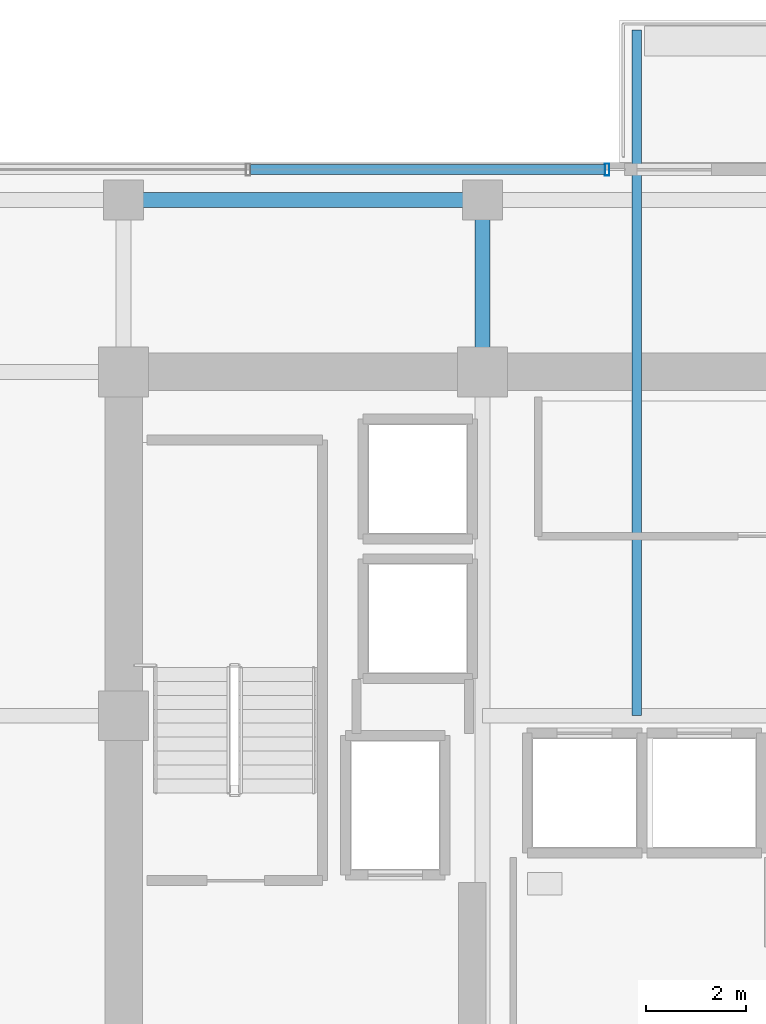
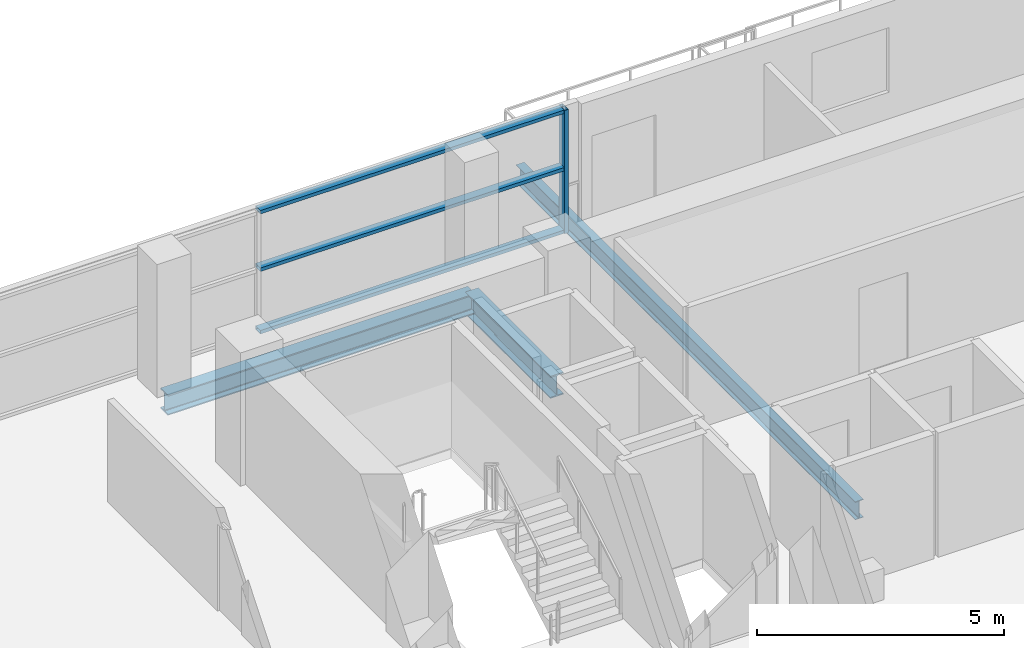
# One storey, part 16 of 28: 4 members, 3 beams, 1 element without a shape of its own.
"""IFC4 building model written with IfcOpenShell, lengths in metres."""

from ifc_helpers import new_model, si_unit, direction, frame, origin, origin_2d, place, context, subcontext, project, spatial, hollow_rectangle, i_section, extrude, source, transform, mapped, material, layer, layer_set, material_profile, profile_set, type_object, element, aggregate, save


model = new_model("IFC4")

# Units and contexts
model_context = context("Model", 3, precision=1e-05, world=origin(), true_north=direction((0.0, 1.0)))
body_context = subcontext(model_context, "Body", "Model", "MODEL_VIEW")
ifc_project = project(units=[si_unit("LENGTHUNIT", "METRE"), si_unit("AREAUNIT", "SQUARE_METRE"), si_unit("VOLUMEUNIT", "CUBIC_METRE"), si_unit("PLANEANGLEUNIT", "RADIAN"), si_unit("MASSUNIT", "GRAM", prefix="KILO")], contexts=[model_context])

# Site, building, storey
site_placement = place(None, origin())
site = spatial("IfcSite", under=ifc_project, at=site_placement, CompositionType="ELEMENT")
building_placement = place(site_placement, origin())
building = spatial("IfcBuilding", under=site, at=building_placement, Name="Zarnakvel Exchange Tower", CompositionType="ELEMENT")
storey_placement = place(building_placement, frame((0.0, 0.0, 90.10009765625)))
storey = spatial("IfcBuildingStorey", under=building, at=storey_placement, Name="L24", CompositionType="ELEMENT", Elevation=90.10009765625)

# Beams
ifc_material_1 = material(Name="Steel S355", Category="steel")
ifc_material_profile_1 = material_profile(ifc_material_1, i_section(OverallWidth=0.18994140625, OverallDepth=0.449951171875, WebThickness=0.009521484375, FlangeThickness=0.0146484375, FilletRadius=0.02099609375, at=origin_2d()))
ifc_profile_set_1 = profile_set([ifc_material_profile_1], Name="Steel S355")
beam_type_1 = type_object("IfcBeamType", Name="B-05", PredefinedType="JOIST", material=ifc_profile_set_1)
beam_1_placement = place(storey_placement, frame((-4.10009765625, 6.60009765625, -0.47509765625), z_axis=(0.0, 1.0, 0.0), x_axis=(-1.0, 0.0, 0.0)))
element("IfcBeam", 1, at=beam_1_placement, inside=storey, type_object=beam_type_1, Name="L24 Continuous North Spiral Terrace Beam W", PredefinedType="JOIST", context=body_context, shape_type="SweptSolid", body=[
    extrude(i_section(OverallWidth=0.18994140625, OverallDepth=0.449951171875, WebThickness=0.009521484375, FlangeThickness=0.0146484375, FilletRadius=0.02099609375, at=origin_2d()), origin(), (0.0, 0.0, 1.0), 13.760009765625),
])
ifc_material_profile_2 = material_profile(ifc_material_1, i_section(OverallWidth=0.300048828125, OverallDepth=0.550048828125, WebThickness=0.014892578125, FlangeThickness=0.029052734375, FilletRadius=0.027099609375, at=origin_2d()))
ifc_profile_set_2 = profile_set([ifc_material_profile_2], Name="Steel S355")
beam_type_2 = type_object("IfcBeamType", Name="G-05", PredefinedType="BEAM", material=ifc_profile_set_2)
beam_2_placement = place(storey_placement, frame((-7.199951171875, 13.5, -0.5), z_axis=(0.0, 1.0, 0.0), x_axis=(-1.0, 0.0, 0.0)))
element("IfcBeam", 2, at=beam_2_placement, inside=storey, type_object=beam_type_2, Name="L24 Tower N-S Frame Beam", PredefinedType="BEAM", context=body_context, shape_type="SweptSolid", body=[
    extrude(i_section(OverallWidth=0.300048828125, OverallDepth=0.550048828125, WebThickness=0.014892578125, FlangeThickness=0.029052734375, FilletRadius=0.027099609375, at=origin_2d()), origin(), (0.0, 0.0, 1.0), 3.449951171875),
])
ifc_material_profile_3 = material_profile(ifc_material_1, i_section(OverallWidth=0.300048828125, OverallDepth=0.5, WebThickness=0.014404296875, FlangeThickness=0.028076171875, FilletRadius=0.027099609375, at=origin_2d()))
ifc_profile_set_3 = profile_set([ifc_material_profile_3], Name="Steel S355")
beam_type_3 = type_object("IfcBeamType", Name="SP-02", PredefinedType="SPANDREL", material=ifc_profile_set_3)
beam_3_placement = place(storey_placement, frame((-14.39990234375, 16.949951171875, -0.47509765625), z_axis=(1.0, 0.0, 0.0), x_axis=(0.0, 1.0, 0.0)))
element("IfcBeam", 3, at=beam_3_placement, inside=storey, type_object=beam_type_3, Name="L24 Tower E-W Frame Beam", PredefinedType="SPANDREL", context=body_context, shape_type="SweptSolid", body=[
    extrude(i_section(OverallWidth=0.300048828125, OverallDepth=0.5, WebThickness=0.014404296875, FlangeThickness=0.028076171875, FilletRadius=0.027099609375, at=origin_2d()), origin(), (0.0, 0.0, 1.0), 7.199951171875),
])

# Curtain wall, members
ifc_material_2 = material(Name="Architectural Bronze Anodised Aluminium", Category="aluminium")
ifc_layer = layer(ifc_material_2, 0.239990234375)
ifc_layer_set = layer_set([ifc_layer], Name="Architectural Bronze Anodised Aluminium")
curtain_wall_type = type_object("IfcCurtainWallType", Name="CW-02", PredefinedType="NOTDEFINED", material=ifc_layer_set)
curtain_wall_placement = place(storey_placement, origin())
curtain_wall = element("IfcCurtainWall", 4, at=curtain_wall_placement, inside=storey, type_object=curtain_wall_type, Name="L24 Curtain Wall CW-L24-N1 (CW-02)", PredefinedType="NOTDEFINED")
ifc_material_profile_4 = material_profile(ifc_material_2, hollow_rectangle(XDim=0.239990234375, YDim=0.090087890625, WallThickness=0.006103515625, at=origin_2d()))
ifc_profile_set_4 = profile_set([ifc_material_profile_4], Name="Architectural Bronze Anodised Aluminium")
member_type_1 = type_object("IfcMemberType", Name="CWM-02", PredefinedType="MULLION", material=ifc_profile_set_4)
shared_shape_1 = source(origin(), body_context, "Body", "SweptSolid", [
    extrude(hollow_rectangle(XDim=0.239990234375, YDim=0.090087890625, WallThickness=0.006103515625, at=origin_2d()), origin(), (0.0, 0.0, 1.0), 3.054931640625),
])
member_1_placement = place(storey_placement, frame((-4.695068359375, 17.56005859375, 0.0), z_axis=(0.0, 0.0, 1.0), x_axis=(0.0, 1.0, 0.0)))
member_1 = element("IfcMember", 5, at=member_1_placement, type_object=member_type_1, Name="CW-02 mullion 4", PredefinedType="MULLION", context=body_context, shape_type="MappedRepresentation", body=[
    mapped(shared_shape_1, transform((0.0, 0.0, 0.0), x_axis=(1.0, 0.0, 0.0), y_axis=(0.0, 1.0, 0.0), z_axis=(0.0, 0.0, 1.0), scale=1.0)),
])
ifc_material_profile_5 = material_profile(ifc_material_2, hollow_rectangle(XDim=0.199951171875, YDim=0.0849609375, WallThickness=0.0048828125, at=origin_2d()))
ifc_profile_set_5 = profile_set([ifc_material_profile_5], Name="Architectural Bronze Anodised Aluminium")
member_type_2 = type_object("IfcMemberType", Name="CWT-02", PredefinedType="USERDEFINED", material=ifc_profile_set_5)
shared_shape_2 = source(origin(), body_context, "Body", "SweptSolid", [
    extrude(hollow_rectangle(XDim=0.199951171875, YDim=0.0849609375, WallThickness=0.0048828125, at=origin_2d()), origin(), (0.0, 0.0, 1.0), 7.114990234375),
])
member_2_placement = place(storey_placement, frame((-11.85498046875, 17.56005859375, 0.04248046875), z_axis=(1.0, 0.0, 0.0), x_axis=(0.0, 1.0, 0.0)))
member_2 = element("IfcMember", 6, at=member_2_placement, type_object=member_type_2, Name="CW-02 transom 3.1", ObjectType="TRANSOM", PredefinedType="USERDEFINED", context=body_context, shape_type="MappedRepresentation", body=[
    mapped(shared_shape_2, transform((0.0, 0.0, 0.0), x_axis=(1.0, 0.0, 0.0), y_axis=(0.0, 1.0, 0.0), z_axis=(0.0, 0.0, 1.0), scale=1.0)),
])
member_3_placement = place(storey_placement, frame((-11.85498046875, 17.56005859375, 1.588623046875), z_axis=(1.0, 0.0, 0.0), x_axis=(0.0, 1.0, 0.0)))
member_3 = element("IfcMember", 7, at=member_3_placement, type_object=member_type_2, Name="CW-02 transom 3.2", ObjectType="TRANSOM", PredefinedType="USERDEFINED", context=body_context, shape_type="MappedRepresentation", body=[
    mapped(shared_shape_2, transform((0.0, 0.0, 0.0), x_axis=(1.0, 0.0, 0.0), y_axis=(0.0, 1.0, 0.0), z_axis=(0.0, 0.0, 1.0), scale=1.0)),
])
member_4_placement = place(storey_placement, frame((-11.85498046875, 17.56005859375, 3.012451171875), z_axis=(1.0, 0.0, 0.0), x_axis=(0.0, 1.0, 0.0)))
member_4 = element("IfcMember", 8, at=member_4_placement, type_object=member_type_2, Name="CW-02 transom 3.3", ObjectType="TRANSOM", PredefinedType="USERDEFINED", context=body_context, shape_type="MappedRepresentation", body=[
    mapped(shared_shape_2, transform((0.0, 0.0, 0.0), x_axis=(1.0, 0.0, 0.0), y_axis=(0.0, 1.0, 0.0), z_axis=(0.0, 0.0, 1.0), scale=1.0)),
])
aggregate(curtain_wall, [member_1, member_2, member_3, member_4])

save(model, "model.ifc")
